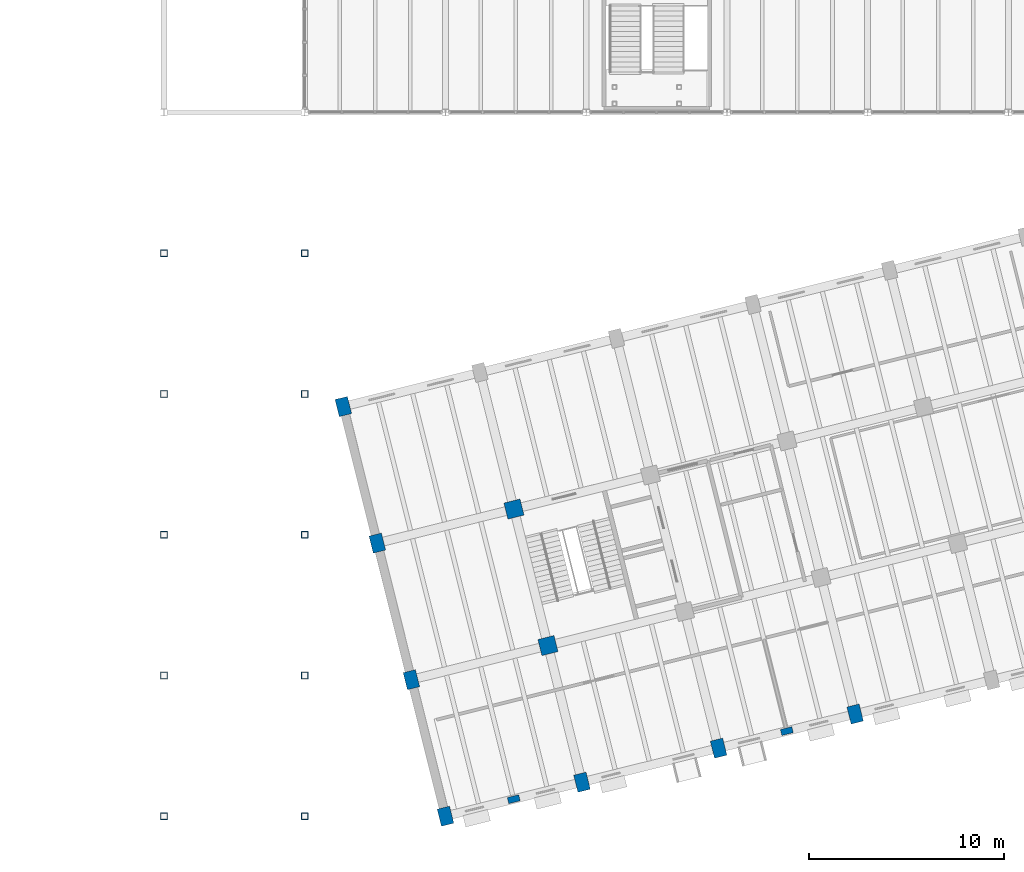
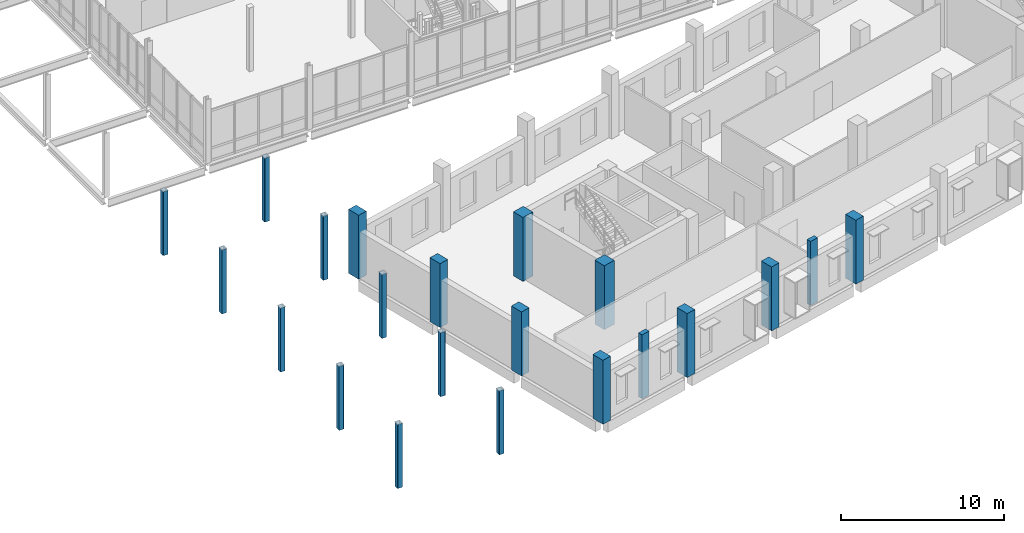
# One storey, part 1 of 77: 21 columns.
"""IFC4 building model written with IfcOpenShell, lengths in metres."""

from ifc_helpers import new_model, si_unit, direction, frame, origin, origin_2d, place, context, subcontext, project, spatial, rectangle, hollow_rectangle, extrude, material, material_profile, profile_set, type_object, element, save


model = new_model("IFC4")

# Units and contexts
model_context = context("Model", 3, precision=1e-05, world=origin(), true_north=direction((0.0, 1.0)))
body_context = subcontext(model_context, "Body", "Model", "MODEL_VIEW")
ifc_project = project(units=[si_unit("LENGTHUNIT", "METRE"), si_unit("AREAUNIT", "SQUARE_METRE"), si_unit("VOLUMEUNIT", "CUBIC_METRE"), si_unit("PLANEANGLEUNIT", "RADIAN"), si_unit("MASSUNIT", "GRAM", prefix="KILO")], contexts=[model_context])

# Site, building, storey
site_placement = place(None, origin())
site = spatial("IfcSite", under=ifc_project, at=site_placement, CompositionType="ELEMENT")
building_placement = place(site_placement, origin())
building = spatial("IfcBuilding", under=site, at=building_placement, Name="Qiaolan Assembly House", CompositionType="ELEMENT")
storey_placement = place(building_placement, frame((0.0, 0.0, 5.39990234375)))
storey = spatial("IfcBuildingStorey", under=building, at=storey_placement, Name="L01", CompositionType="ELEMENT", Elevation=5.39990234375)

# Columns
ifc_material_1 = material(Name="Concrete C50/60", Category="concrete")
ifc_material_profile_1 = material_profile(ifc_material_1, rectangle(XDim=0.85009765625, YDim=0.85009765625, at=origin_2d()), Name="RC 850x850")
ifc_profile_set_1 = profile_set([ifc_material_profile_1], Name="Concrete C50/60")
column_type_1 = type_object("IfcColumnType", Name="COL-RC-850", PredefinedType="COLUMN", material=ifc_profile_set_1)
for number, where, z_axis, x_axis, name in (
    (1, (41.244384765625, 8.72802734375, 0.0), (0.0, 0.0, 1.0), (0.970295726276, 0.2419218956, 0.0), "RC-04 splayed column SE L01"),
    (2, (39.50244140625, 15.714111328125, 0.0), (0.0, 0.0, 1.0), (0.970295726276, 0.2419218956, 0.0), "RC-04 splayed column SE L01"),
):
    element("IfcColumn", number, at=place(storey_placement, frame(where, z_axis=z_axis, x_axis=x_axis)), inside=storey, type_object=column_type_1, Name=name, PredefinedType="COLUMN", context=body_context, shape_type="SweptSolid", body=[
        extrude(rectangle(XDim=0.85009765625, YDim=0.85009765625, at=origin_2d()), origin(), (0.0, 0.0, 1.0), 4.800048828125),
    ])
ifc_material_profile_2 = material_profile(ifc_material_1, rectangle(XDim=0.64990234375, YDim=0.89990234375, at=origin_2d()), Name="RC 900x650")
ifc_profile_set_2 = profile_set([ifc_material_profile_2], Name="Concrete C50/60")
column_type_2 = type_object("IfcColumnType", Name="COL-RC-900x650", PredefinedType="COLUMN", material=ifc_profile_set_2)
for number, where, z_axis, x_axis, name in (
    (3, (36.0, 0.0, 0.0), (0.0, 0.0, 1.0), (0.970295726276, 0.2419218956, 0.0), "RC-12 splayed column SE L01"),
    (4, (34.258056640625, 6.986083984375, 0.0), (0.0, 0.0, 1.0), (0.970295726276, 0.2419218956, 0.0), "RC-12 splayed column SE L01"),
    (5, (32.516357421875, 13.97216796875, 0.0), (0.0, 0.0, 1.0), (0.970295726276, 0.2419218956, 0.0), "RC-12 splayed column SE L01"),
    (6, (30.7744140625, 20.95849609375, 0.0), (0.0, 0.0, 1.0), (0.970295726276, 0.2419218956, 0.0), "RC-12 splayed column SE L01"),
    (7, (42.986083984375, 1.741943359375, 0.0), (0.0, 0.0, 1.0), (0.970295726276, 0.2419218956, 0.0), "RC-12 splayed column SE L01"),
    (8, (49.97216796875, 3.483642578125, 0.0), (0.0, 0.0, 1.0), (0.970295726276, 0.2419218956, 0.0), "RC-12 splayed column SE L01"),
    (9, (56.95849609375, 5.2255859375, 0.0), (0.0, 0.0, 1.0), (0.970295726276, 0.2419218956, 0.0), "RC-12 splayed column SE L01"),
):
    element("IfcColumn", number, at=place(storey_placement, frame(where, z_axis=z_axis, x_axis=x_axis)), inside=storey, type_object=column_type_2, Name=name, PredefinedType="COLUMN", context=body_context, shape_type="SweptSolid", body=[
        extrude(rectangle(XDim=0.64990234375, YDim=0.89990234375, at=origin_2d()), origin(), (0.0, 0.0, 1.0), 4.800048828125),
    ])
ifc_material_2 = material(Name="Steel Q355B", Category="steel")
ifc_material_profile_3 = material_profile(ifc_material_2, hollow_rectangle(XDim=0.35009765625, YDim=0.35009765625, WallThickness=0.013916015625, InnerFilletRadius=0.013916015625, OuterFilletRadius=0.028076171875, at=origin_2d()), Name="SHS 350x350x14")
ifc_profile_set_3 = profile_set([ifc_material_profile_3], Name="Steel Q355B")
column_type_3 = type_object("IfcColumnType", Name="COL-STL-SHS350", PredefinedType="COLUMN", material=ifc_profile_set_3)
for number, where, z_axis, x_axis, name in (
    (10, (21.60009765625, 0.0, 0.0), (0.0, 0.0, 1.0), (1.0, 0.0, 0.0), "SC-04 passage colonnade column L01"),
    (11, (21.60009765625, 7.199951171875, 0.0), (0.0, 0.0, 1.0), (1.0, 0.0, 0.0), "SC-04 passage colonnade column L01"),
    (12, (21.60009765625, 14.39990234375, 0.0), (0.0, 0.0, 1.0), (1.0, 0.0, 0.0), "SC-04 passage colonnade column L01"),
    (13, (21.60009765625, 21.60009765625, 0.0), (0.0, 0.0, 1.0), (1.0, 0.0, 0.0), "SC-04 passage colonnade column L01"),
    (14, (21.60009765625, 28.800048828125, 0.0), (0.0, 0.0, 1.0), (1.0, 0.0, 0.0), "SC-04 passage colonnade column L01"),
    (15, (28.800048828125, 0.0, 0.0), (0.0, 0.0, 1.0), (1.0, 0.0, 0.0), "SC-04 passage colonnade column L01"),
    (16, (28.800048828125, 7.199951171875, 0.0), (0.0, 0.0, 1.0), (1.0, 0.0, 0.0), "SC-04 passage colonnade column L01"),
    (17, (28.800048828125, 14.39990234375, 0.0), (0.0, 0.0, 1.0), (1.0, 0.0, 0.0), "SC-04 passage colonnade column L01"),
    (18, (28.800048828125, 21.60009765625, 0.0), (0.0, 0.0, 1.0), (1.0, 0.0, 0.0), "SC-04 passage colonnade column L01"),
    (19, (28.800048828125, 28.800048828125, 0.0), (0.0, 0.0, 1.0), (1.0, 0.0, 0.0), "SC-04 passage colonnade column L01"),
):
    element("IfcColumn", number, at=place(storey_placement, frame(where, z_axis=z_axis, x_axis=x_axis)), inside=storey, type_object=column_type_3, Name=name, PredefinedType="COLUMN", context=body_context, shape_type="SweptSolid", body=[
        extrude(hollow_rectangle(XDim=0.35009765625, YDim=0.35009765625, WallThickness=0.013916015625, InnerFilletRadius=0.013916015625, OuterFilletRadius=0.028076171875, at=origin_2d()), origin(), (0.0, 0.0, 1.0), 4.800048828125),
    ])
ifc_material_3 = material(Name="Precast concrete C45/55", Category="concrete")
ifc_material_profile_4 = material_profile(ifc_material_3, rectangle(XDim=0.60009765625, YDim=0.320068359375, at=origin_2d()), Name="PIL 600x320")
ifc_profile_set_4 = profile_set([ifc_material_profile_4], Name="Precast concrete C45/55")
column_type_4 = type_object("IfcColumnType", Name="PIL-SE-600x320", PredefinedType="PILASTER", material=ifc_profile_set_4)
for number, where, z_axis, x_axis, name in (
    (20, (39.4931640625, 0.870849609375, 0.0), (0.0, 0.0, 1.0), (0.970295726276, 0.2419218956, 0.0), "PL-03 boulevard pilaster SE L01"),
    (21, (53.46533203125, 4.3544921875, 0.0), (0.0, 0.0, 1.0), (0.970295726276, 0.2419218956, 0.0), "PL-03 boulevard pilaster SE L01"),
):
    element("IfcColumn", number, at=place(storey_placement, frame(where, z_axis=z_axis, x_axis=x_axis)), inside=storey, type_object=column_type_4, Name=name, PredefinedType="PILASTER", context=body_context, shape_type="SweptSolid", body=[
        extrude(rectangle(XDim=0.60009765625, YDim=0.320068359375, at=origin_2d()), origin(), (0.0, 0.0, 1.0), 4.800048828125),
    ])

save(model, "model.ifc")
